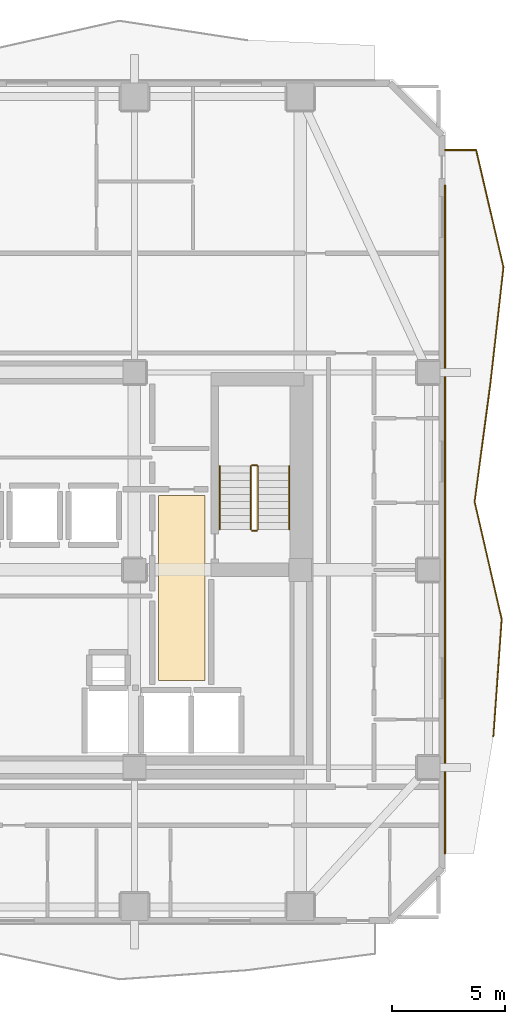
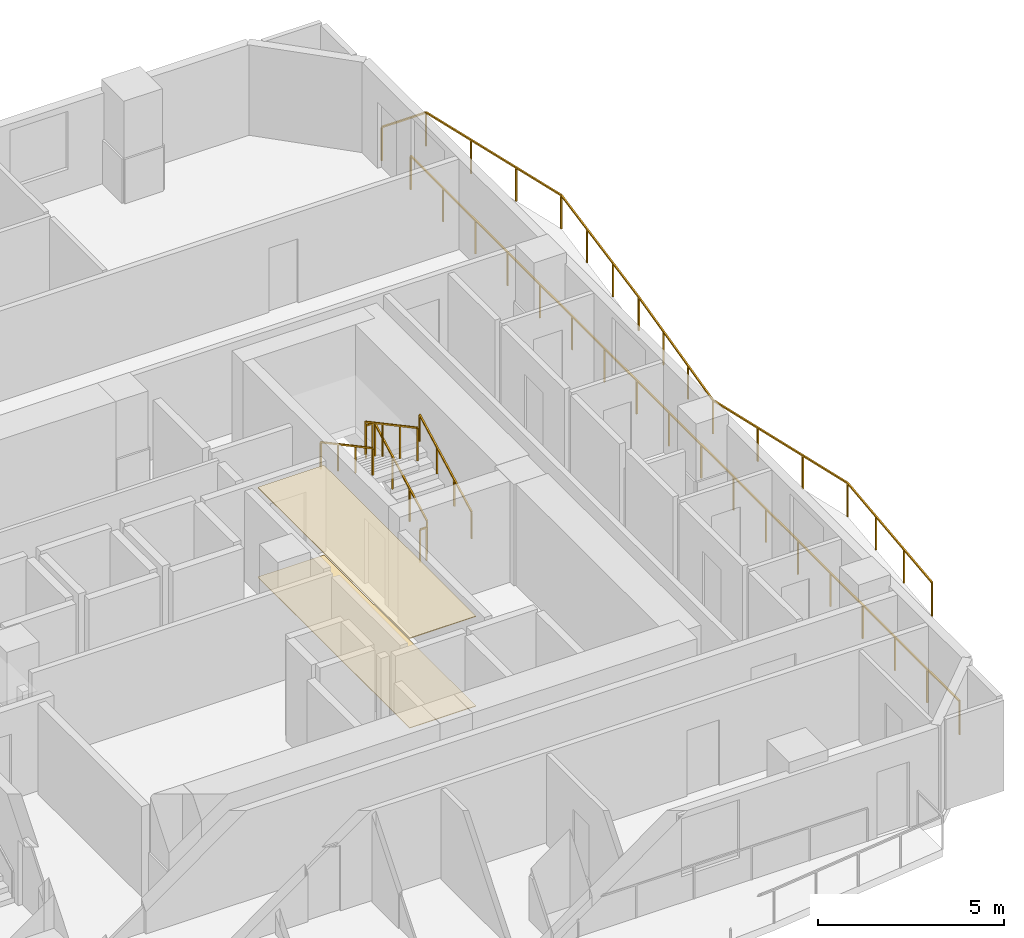
# One storey, part 10 of 11: 8 railings, 2 coverings.
"""IFC4 building model written with IfcOpenShell, lengths in metres."""

from ifc_helpers import new_model, si_unit, direction, frame, origin, origin_2d, place, context, subcontext, project, spatial, polyline, rectangle, outline, extrude, material, layer, layer_set, type_object, element, save


model = new_model("IFC4")

# Units and contexts
model_context = context("Model", 3, precision=1e-05, world=origin(), true_north=direction((0.0, 1.0)))
body_context = subcontext(model_context, "Body", "Model", "MODEL_VIEW")
ifc_project = project(units=[si_unit("LENGTHUNIT", "METRE"), si_unit("AREAUNIT", "SQUARE_METRE"), si_unit("VOLUMEUNIT", "CUBIC_METRE"), si_unit("PLANEANGLEUNIT", "RADIAN"), si_unit("MASSUNIT", "GRAM", prefix="KILO")], contexts=[model_context])

# Site, building, storey
site_placement = place(None, origin())
site = spatial("IfcSite", under=ifc_project, at=site_placement, CompositionType="ELEMENT")
building_placement = place(site_placement, origin())
building = spatial("IfcBuilding", under=site, at=building_placement, Name="Solanera Arch Residences", CompositionType="ELEMENT")
storey_placement = place(building_placement, frame((0.0, 0.0, 169.159912109375)))
storey = spatial("IfcBuildingStorey", under=building, at=storey_placement, Name="L49", CompositionType="ELEMENT", Elevation=169.159912109375)

# Railings
ifc_material_1 = material(Name="Steel S355 (ASTM A992 / A572 Grade 50)", Category="steel")
railing_type_1 = type_object("IfcRailingType", Name="Balustrade Railing BL-1100", PredefinedType="BALUSTRADE", material=ifc_material_1)
railing_1_placement = place(storey_placement, frame((45.014892578125, 23.366943359375, 0.0)))
element("IfcRailing", 1, at=railing_1_placement, inside=storey, type_object=railing_type_1, Name="L49 E Balcony Balustrade 1", PredefinedType="BALUSTRADE", context=body_context, shape_type="SweptSolid", body=[
    extrude(rectangle(XDim=0.048095703125, YDim=0.048095703125, at=origin_2d()), frame((0.0, 0.0, 1.09619140625), z_axis=(0.070476493077, 0.997513440473, 0.0), x_axis=(-0.997513440473, 0.070476493077, 0.0)), (0.0, 0.0, 1.0), 5.178955078125),
    extrude(rectangle(XDim=0.048095703125, YDim=0.048095703125, at=origin_2d()), frame((0.364990234375, 5.166015625, 1.09619140625), z_axis=(-0.224772079657, 0.974411367035, 0.0), x_axis=(-0.974411367035, -0.224772079657, 0.0)), (0.0, 0.0, 1.0), 5.302734375),
    extrude(rectangle(XDim=0.048095703125, YDim=0.048095703125, at=origin_2d()), frame((-0.826904296875, 10.3330078125, 1.09619140625), z_axis=(0.132169855747, 0.991227082576, 0.0), x_axis=(-0.991227082576, 0.132169855747, 0.0)), (0.0, 0.0, 1.0), 5.212646484375),
    extrude(rectangle(XDim=0.048095703125, YDim=0.048095703125, at=origin_2d()), frame((-0.137939453125, 15.5, 1.09619140625), z_axis=(0.111957083836, 0.993713042774, 0.0), x_axis=(-0.993713042774, 0.111957083836, 0.0)), (0.0, 0.0, 1.0), 5.19873046875),
    extrude(rectangle(XDim=0.048095703125, YDim=0.048095703125, at=origin_2d()), frame((0.444091796875, 20.666015625, 1.09619140625), z_axis=(-0.22695612277, 0.973904984245, 0.0), x_axis=(-0.973904984245, -0.22695612277, 0.0)), (0.0, 0.0, 1.0), 5.305419921875),
    extrude(rectangle(XDim=0.048095703125, YDim=0.048095703125, at=origin_2d()), frame((-0.760009765625, 25.8330078125, 1.09619140625), z_axis=(-1.0, 0.0, 0.0), x_axis=(0.0, -1.0, 0.0)), (0.0, 0.0, 1.0), 1.375),
    extrude(rectangle(XDim=0.0419921875, YDim=0.0419921875, at=origin_2d()), origin(), (0.0, 0.0, 1.0), 1.072021484375),
    extrude(rectangle(XDim=0.0419921875, YDim=0.0419921875, at=origin_2d()), frame((0.12158203125, 1.721923828125, 0.0)), (0.0, 0.0, 1.0), 1.072021484375),
    extrude(rectangle(XDim=0.0419921875, YDim=0.0419921875, at=origin_2d()), frame((0.243408203125, 3.444091796875, 0.0)), (0.0, 0.0, 1.0), 1.072021484375),
    extrude(rectangle(XDim=0.0419921875, YDim=0.0419921875, at=origin_2d()), frame((0.364990234375, 5.166015625, 0.0)), (0.0, 0.0, 1.0), 1.072021484375),
    extrude(rectangle(XDim=0.0419921875, YDim=0.0419921875, at=origin_2d()), frame((-0.0322265625, 6.888427734375, 0.0)), (0.0, 0.0, 1.0), 1.072021484375),
    extrude(rectangle(XDim=0.0419921875, YDim=0.0419921875, at=origin_2d()), frame((-0.4296875, 8.610595703125, 0.0)), (0.0, 0.0, 1.0), 1.072021484375),
    extrude(rectangle(XDim=0.0419921875, YDim=0.0419921875, at=origin_2d()), frame((-0.826904296875, 10.3330078125, 0.0)), (0.0, 0.0, 1.0), 1.072021484375),
    extrude(rectangle(XDim=0.0419921875, YDim=0.0419921875, at=origin_2d()), frame((-0.59716796875, 12.055419921875, 0.0)), (0.0, 0.0, 1.0), 1.072021484375),
    extrude(rectangle(XDim=0.0419921875, YDim=0.0419921875, at=origin_2d()), frame((-0.36767578125, 13.777587890625, 0.0)), (0.0, 0.0, 1.0), 1.072021484375),
    extrude(rectangle(XDim=0.0419921875, YDim=0.0419921875, at=origin_2d()), frame((-0.137939453125, 15.5, 0.0)), (0.0, 0.0, 1.0), 1.072021484375),
    extrude(rectangle(XDim=0.0419921875, YDim=0.0419921875, at=origin_2d()), frame((0.05615234375, 17.221923828125, 0.0)), (0.0, 0.0, 1.0), 1.072021484375),
    extrude(rectangle(XDim=0.0419921875, YDim=0.0419921875, at=origin_2d()), frame((0.25, 18.944091796875, 0.0)), (0.0, 0.0, 1.0), 1.072021484375),
    extrude(rectangle(XDim=0.0419921875, YDim=0.0419921875, at=origin_2d()), frame((0.444091796875, 20.666015625, 0.0)), (0.0, 0.0, 1.0), 1.072021484375),
    extrude(rectangle(XDim=0.0419921875, YDim=0.0419921875, at=origin_2d()), frame((0.042724609375, 22.388427734375, 0.0)), (0.0, 0.0, 1.0), 1.072021484375),
    extrude(rectangle(XDim=0.0419921875, YDim=0.0419921875, at=origin_2d()), frame((-0.358642578125, 24.110595703125, 0.0)), (0.0, 0.0, 1.0), 1.072021484375),
    extrude(rectangle(XDim=0.0419921875, YDim=0.0419921875, at=origin_2d()), frame((-0.760009765625, 25.8330078125, 0.0)), (0.0, 0.0, 1.0), 1.072021484375),
    extrude(rectangle(XDim=0.0419921875, YDim=0.0419921875, at=origin_2d()), frame((-2.135009765625, 25.8330078125, 0.0)), (0.0, 0.0, 1.0), 1.072021484375),
])
railing_2_placement = place(storey_placement, frame((42.8798828125, 47.64111328125, 0.0)))
element("IfcRailing", 2, at=railing_2_placement, inside=storey, type_object=railing_type_1, Name="L49 E Balcony Balustrade 2", PredefinedType="BALUSTRADE", context=body_context, shape_type="SweptSolid", body=[
    extrude(rectangle(XDim=0.048095703125, YDim=0.048095703125, at=origin_2d()), frame((0.0, 0.0, 1.09619140625), z_axis=(0.0, -1.0, 0.0), x_axis=(1.0, 0.0, 0.0)), (0.0, 0.0, 1.0), 29.441162109375),
    extrude(rectangle(XDim=0.0419921875, YDim=0.0419921875, at=origin_2d()), origin(), (0.0, 0.0, 1.0), 1.072021484375),
    extrude(rectangle(XDim=0.0419921875, YDim=0.0419921875, at=origin_2d()), frame((0.0, -1.73193359375, 0.0)), (0.0, 0.0, 1.0), 1.072021484375),
    extrude(rectangle(XDim=0.0419921875, YDim=0.0419921875, at=origin_2d()), frame((0.0, -3.463623046875, 0.0)), (0.0, 0.0, 1.0), 1.072021484375),
    extrude(rectangle(XDim=0.0419921875, YDim=0.0419921875, at=origin_2d()), frame((0.0, -5.195556640625, 0.0)), (0.0, 0.0, 1.0), 1.072021484375),
    extrude(rectangle(XDim=0.0419921875, YDim=0.0419921875, at=origin_2d()), frame((0.0, -6.92724609375, 0.0)), (0.0, 0.0, 1.0), 1.072021484375),
    extrude(rectangle(XDim=0.0419921875, YDim=0.0419921875, at=origin_2d()), frame((0.0, -8.6591796875, 0.0)), (0.0, 0.0, 1.0), 1.072021484375),
    extrude(rectangle(XDim=0.0419921875, YDim=0.0419921875, at=origin_2d()), frame((0.0, -10.39111328125, 0.0)), (0.0, 0.0, 1.0), 1.072021484375),
    extrude(rectangle(XDim=0.0419921875, YDim=0.0419921875, at=origin_2d()), frame((0.0, -12.122802734375, 0.0)), (0.0, 0.0, 1.0), 1.072021484375),
    extrude(rectangle(XDim=0.0419921875, YDim=0.0419921875, at=origin_2d()), frame((0.0, -13.854736328125, 0.0)), (0.0, 0.0, 1.0), 1.072021484375),
    extrude(rectangle(XDim=0.0419921875, YDim=0.0419921875, at=origin_2d()), frame((0.0, -15.58642578125, 0.0)), (0.0, 0.0, 1.0), 1.072021484375),
    extrude(rectangle(XDim=0.0419921875, YDim=0.0419921875, at=origin_2d()), frame((0.0, -17.318359375, 0.0)), (0.0, 0.0, 1.0), 1.072021484375),
    extrude(rectangle(XDim=0.0419921875, YDim=0.0419921875, at=origin_2d()), frame((0.0, -19.050048828125, 0.0)), (0.0, 0.0, 1.0), 1.072021484375),
    extrude(rectangle(XDim=0.0419921875, YDim=0.0419921875, at=origin_2d()), frame((0.0, -20.781982421875, 0.0)), (0.0, 0.0, 1.0), 1.072021484375),
    extrude(rectangle(XDim=0.0419921875, YDim=0.0419921875, at=origin_2d()), frame((0.0, -22.513916015625, 0.0)), (0.0, 0.0, 1.0), 1.072021484375),
    extrude(rectangle(XDim=0.0419921875, YDim=0.0419921875, at=origin_2d()), frame((0.0, -24.24560546875, 0.0)), (0.0, 0.0, 1.0), 1.072021484375),
    extrude(rectangle(XDim=0.0419921875, YDim=0.0419921875, at=origin_2d()), frame((0.0, -25.9775390625, 0.0)), (0.0, 0.0, 1.0), 1.072021484375),
    extrude(rectangle(XDim=0.0419921875, YDim=0.0419921875, at=origin_2d()), frame((0.0, -27.709228515625, 0.0)), (0.0, 0.0, 1.0), 1.072021484375),
    extrude(rectangle(XDim=0.0419921875, YDim=0.0419921875, at=origin_2d()), frame((0.0, -29.441162109375, 0.0)), (0.0, 0.0, 1.0), 1.072021484375),
])

# Covering
ifc_material_2 = material(Name="Porcelain Acoustic Floor Tile", Category="ceramic")
ifc_layer_1 = layer(ifc_material_2, 0.02001953125)
ifc_layer_set_1 = layer_set([ifc_layer_1], Name="Porcelain Acoustic Floor Tile")
covering_type_1 = type_object("IfcCoveringType", Name="Porcelain Acoustic Floor Finish FLR-20", PredefinedType="FLOORING", material=ifc_layer_set_1)
covering_1_placement = place(storey_placement, origin())
element("IfcCovering", 3, at=covering_1_placement, inside=storey, type_object=covering_type_1, Name="L49-FFL-E Porcelain Floor Finish", PredefinedType="FLOORING", context=body_context, shape_type="SweptSolid", body=[
    extrude(outline(polyline([(32.304931640625, 25.824951171875), (30.25, 25.824951171875), (30.25, 33.97509765625), (32.304931640625, 33.97509765625), (32.304931640625, 25.824951171875)])), origin(), (0.0, 0.0, 1.0), 0.02001953125),
])

# Railings
ifc_material_3 = material(Name="Steel S355 (ASTM A992 / A572 Grade 50)", Category="steel")
railing_type_2 = type_object("IfcRailingType", Name="Stair Guardrail GR-1100", PredefinedType="GUARDRAIL", material=ifc_material_3)
railing_3_placement = place(storey_placement, frame((34.6298828125, 32.47998046875, 0.151123046875)))
element("IfcRailing", 4, at=railing_3_placement, inside=storey, type_object=railing_type_2, Name="L49 ST-T2 stair guard 1", PredefinedType="GUARDRAIL", context=body_context, shape_type="SweptSolid", body=[
    extrude(rectangle(XDim=0.048095703125, YDim=0.048095703125, at=origin_2d()), frame((0.0, 0.0, 1.076171875), z_axis=(0.0, 0.881580869306, 0.472033018838), x_axis=(-1.0, 0.0, 0.0)), (0.0, 0.0, 1.0), 3.164794921875),
    extrude(rectangle(XDim=0.0419921875, YDim=0.0419921875, at=origin_2d()), origin(), (0.0, 0.0, 1.0), 1.052001953125),
    extrude(rectangle(XDim=0.0419921875, YDim=0.0419921875, at=origin_2d()), frame((0.0, 0.929931640625, 0.498046875)), (0.0, 0.0, 1.0), 1.052001953125),
    extrude(rectangle(XDim=0.0419921875, YDim=0.0419921875, at=origin_2d()), frame((0.0, 1.860107421875, 0.995849609375)), (0.0, 0.0, 1.0), 1.052001953125),
    extrude(rectangle(XDim=0.0419921875, YDim=0.0419921875, at=origin_2d()), frame((0.0, 2.7900390625, 1.493896484375)), (0.0, 0.0, 1.0), 1.052001953125),
])
railing_4_placement = place(storey_placement, frame((34.580078125, 35.320068359375, 1.64501953125)))
element("IfcRailing", 5, at=railing_4_placement, inside=storey, type_object=railing_type_2, Name="L49 ST-T2 stair guard 2", PredefinedType="GUARDRAIL", context=body_context, shape_type="SweptSolid", body=[
    extrude(rectangle(XDim=0.048095703125, YDim=0.048095703125, at=origin_2d()), frame((0.0, 0.0, 1.076171875), z_axis=(-1.0, 0.0, 0.0), x_axis=(0.0, -1.0, 0.0)), (0.0, 0.0, 1.0), 0.2001953125),
    extrude(rectangle(XDim=0.0419921875, YDim=0.0419921875, at=origin_2d()), origin(), (0.0, 0.0, 1.0), 1.052001953125),
    extrude(rectangle(XDim=0.0419921875, YDim=0.0419921875, at=origin_2d()), frame((-0.2001953125, 0.0, 0.0)), (0.0, 0.0, 1.0), 1.052001953125),
])
railing_5_placement = place(storey_placement, frame((34.330078125, 35.27001953125, 1.81103515625)))
element("IfcRailing", 6, at=railing_5_placement, inside=storey, type_object=railing_type_2, Name="L49 ST-T2 stair guard 3", PredefinedType="GUARDRAIL", context=body_context, shape_type="SweptSolid", body=[
    extrude(rectangle(XDim=0.048095703125, YDim=0.048095703125, at=origin_2d()), frame((0.0, 0.0, 1.076171875), z_axis=(0.0, -0.881548766853, 0.472092969298), x_axis=(1.0, 0.0, 0.0)), (0.0, 0.0, 1.0), 3.1650390625),
    extrude(rectangle(XDim=0.0419921875, YDim=0.0419921875, at=origin_2d()), origin(), (0.0, 0.0, 1.0), 1.052001953125),
    extrude(rectangle(XDim=0.0419921875, YDim=0.0419921875, at=origin_2d()), frame((0.0, -0.929931640625, 0.498046875)), (0.0, 0.0, 1.0), 1.052001953125),
    extrude(rectangle(XDim=0.0419921875, YDim=0.0419921875, at=origin_2d()), frame((0.0, -1.860107421875, 0.99609375)), (0.0, 0.0, 1.0), 1.052001953125),
    extrude(rectangle(XDim=0.0419921875, YDim=0.0419921875, at=origin_2d()), frame((0.0, -2.7900390625, 1.494140625)), (0.0, 0.0, 1.0), 1.052001953125),
])
railing_6_placement = place(storey_placement, frame((34.580078125, 32.429931640625, -0.014892578125)))
element("IfcRailing", 7, at=railing_6_placement, inside=storey, type_object=railing_type_2, Name="L49 ST-T2 stair guard 4", PredefinedType="GUARDRAIL", context=body_context, shape_type="SweptSolid", body=[
    extrude(rectangle(XDim=0.048095703125, YDim=0.048095703125, at=origin_2d()), frame((0.0, 0.0, 1.076171875), z_axis=(-1.0, 0.0, 0.0), x_axis=(0.0, -1.0, 0.0)), (0.0, 0.0, 1.0), 0.2001953125),
    extrude(rectangle(XDim=0.0419921875, YDim=0.0419921875, at=origin_2d()), origin(), (0.0, 0.0, 1.0), 1.052001953125),
    extrude(rectangle(XDim=0.0419921875, YDim=0.0419921875, at=origin_2d()), frame((-0.2001953125, 0.0, 0.0)), (0.0, 0.0, 1.0), 1.052001953125),
])
ifc_material_4 = material(Name="Steel S355 (ASTM A992 / A572 Grade 50)", Category="steel")
railing_type_3 = type_object("IfcRailingType", Name="Stair Wall Handrail HR-920", PredefinedType="HANDRAIL", material=ifc_material_4)
railing_7_placement = place(storey_placement, frame((36.010009765625, 32.47998046875, 0.166015625)))
element("IfcRailing", 8, at=railing_7_placement, inside=storey, type_object=railing_type_3, Name="L49 ST-T2 stair handrail 1", PredefinedType="HANDRAIL", context=body_context, shape_type="SweptSolid", body=[
    extrude(rectangle(XDim=0.048095703125, YDim=0.048095703125, at=origin_2d()), frame((0.0, 0.0, 0.8759765625), z_axis=(0.0, 0.881548766853, 0.472092969298), x_axis=(-1.0, 0.0, 0.0)), (0.0, 0.0, 1.0), 3.1650390625),
    extrude(rectangle(XDim=0.0419921875, YDim=0.0419921875, at=origin_2d()), origin(), (0.0, 0.0, 1.0), 0.851806640625),
    extrude(rectangle(XDim=0.0419921875, YDim=0.0419921875, at=origin_2d()), frame((0.0, 0.929931640625, 0.498046875)), (0.0, 0.0, 1.0), 0.851806640625),
    extrude(rectangle(XDim=0.0419921875, YDim=0.0419921875, at=origin_2d()), frame((0.0, 1.860107421875, 0.99609375)), (0.0, 0.0, 1.0), 0.851806640625),
    extrude(rectangle(XDim=0.0419921875, YDim=0.0419921875, at=origin_2d()), frame((0.0, 2.7900390625, 1.494140625)), (0.0, 0.0, 1.0), 0.851806640625),
])
railing_8_placement = place(storey_placement, frame((32.949951171875, 35.27001953125, 1.826171875)))
element("IfcRailing", 9, at=railing_8_placement, inside=storey, type_object=railing_type_3, Name="L49 ST-T2 stair handrail 2", PredefinedType="HANDRAIL", context=body_context, shape_type="SweptSolid", body=[
    extrude(rectangle(XDim=0.048095703125, YDim=0.048095703125, at=origin_2d()), frame((0.0, 0.0, 0.8759765625), z_axis=(0.0, -0.881580869306, 0.472033018838), x_axis=(1.0, 0.0, 0.0)), (0.0, 0.0, 1.0), 3.164794921875),
    extrude(rectangle(XDim=0.0419921875, YDim=0.0419921875, at=origin_2d()), origin(), (0.0, 0.0, 1.0), 0.851806640625),
    extrude(rectangle(XDim=0.0419921875, YDim=0.0419921875, at=origin_2d()), frame((0.0, -0.929931640625, 0.498046875)), (0.0, 0.0, 1.0), 0.851806640625),
    extrude(rectangle(XDim=0.0419921875, YDim=0.0419921875, at=origin_2d()), frame((0.0, -1.860107421875, 0.995849609375)), (0.0, 0.0, 1.0), 0.851806640625),
    extrude(rectangle(XDim=0.0419921875, YDim=0.0419921875, at=origin_2d()), frame((0.0, -2.7900390625, 1.493896484375)), (0.0, 0.0, 1.0), 0.851806640625),
])

# Covering
ifc_material_5 = material(Name="Mineral Fibre Acoustic Ceiling Board", Category="gypsum")
ifc_layer_2 = layer(ifc_material_5, 0.02490234375)
ifc_layer_set_2 = layer_set([ifc_layer_2], Name="Mineral Fibre Acoustic Ceiling Board")
covering_type_2 = type_object("IfcCoveringType", Name="Suspended Acoustic Ceiling Board CLG-25", PredefinedType="CEILING", material=ifc_layer_set_2)
covering_2_placement = place(storey_placement, frame((0.0, 0.0, 2.93505859375)))
element("IfcCovering", 10, at=covering_2_placement, inside=storey, type_object=covering_type_2, Name="L49-FFL-E Acoustic Ceiling", PredefinedType="CEILING", context=body_context, shape_type="SweptSolid", body=[
    extrude(outline(polyline([(32.304931640625, 25.824951171875), (30.25, 25.824951171875), (30.25, 33.97509765625), (32.304931640625, 33.97509765625), (32.304931640625, 25.824951171875)])), origin(), (0.0, 0.0, 1.0), 0.025146484375),
])

save(model, "model.ifc")
